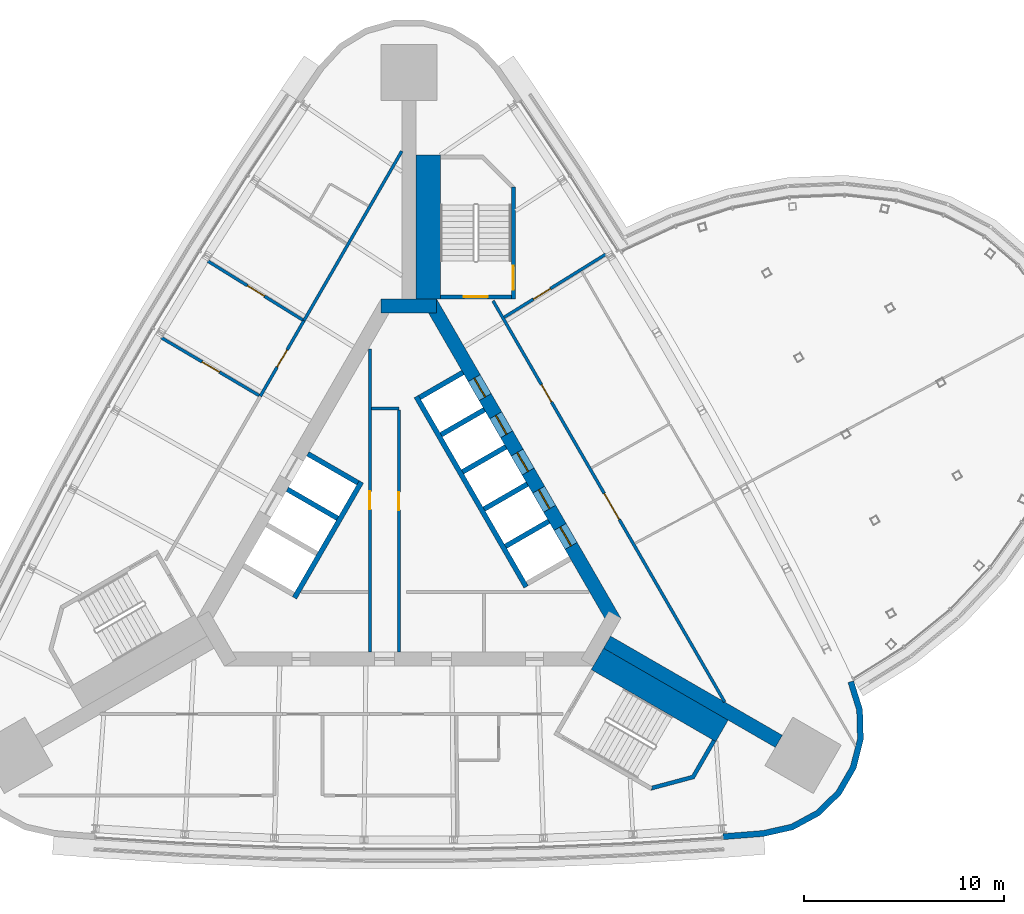
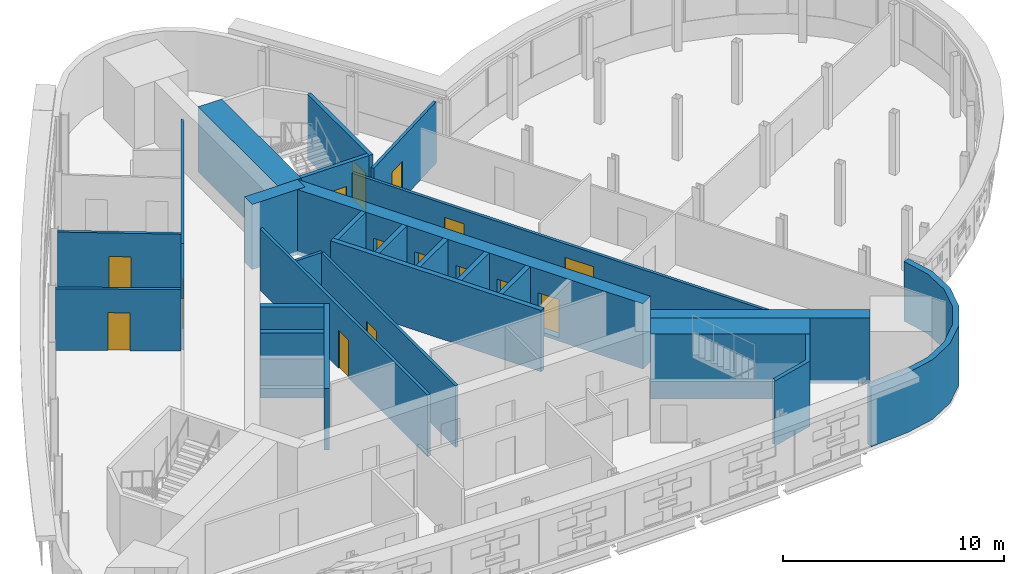
# One storey, part 11 of 15: 27 walls, 15 doors, 15 openings.
"""IFC4 building model written with IfcOpenShell, lengths in metres."""

from ifc_helpers import new_model, si_unit, direction, frame, frame_2d, origin, place, context, subcontext, project, spatial, polyline, rectangle, outline, extrude, material, layer, layer_set, type_object, element, fill, save


model = new_model("IFC4")

# Units and contexts
model_context = context("Model", 3, precision=1e-05, world=origin(), true_north=direction((0.0, 1.0)))
body_context = subcontext(model_context, "Body", "Model", "MODEL_VIEW")
ifc_project = project(units=[si_unit("LENGTHUNIT", "METRE"), si_unit("AREAUNIT", "SQUARE_METRE"), si_unit("VOLUMEUNIT", "CUBIC_METRE"), si_unit("PLANEANGLEUNIT", "RADIAN"), si_unit("MASSUNIT", "GRAM", prefix="KILO")], contexts=[model_context])

# Site, building, storey
site_placement = place(None, origin())
site = spatial("IfcSite", under=ifc_project, at=site_placement, CompositionType="ELEMENT")
building_placement = place(site_placement, origin())
building = spatial("IfcBuilding", under=site, at=building_placement, Name="Noor Cloister Tower", CompositionType="ELEMENT")
storey_placement = place(building_placement, frame((0.0, 0.0, 174.300048828125)))
storey = spatial("IfcBuildingStorey", under=building, at=storey_placement, Name="L44", CompositionType="ELEMENT", Elevation=174.300048828125)

# Wall
ifc_material_1 = material(Name="Concrete C70/85", Category="concrete")
ifc_layer_1 = layer(ifc_material_1, 0.699951171875)
ifc_layer_set_1 = layer_set([ifc_layer_1], Name="Buttress wall 700 C70/85")
wall_type_1 = type_object("IfcWallType", Name="Buttress wall 700 C70/85", PredefinedType="SHEAR", material=ifc_layer_set_1)
wall_1_placement = place(storey_placement, frame((9.921630859375, -5.728271484375, -0.199951171875), z_axis=(0.0, 0.0, 1.0), x_axis=(0.866029553954, -0.499992811627, 0.0)))
element("IfcWall", 1, at=wall_1_placement, inside=storey, type_object=wall_type_1, Name="Buttress wall SE L44", PredefinedType="SHEAR", context=body_context, shape_type="SweptSolid", body=[
    extrude(rectangle(XDim=9.927490234375, YDim=0.699951171875, at=frame_2d((4.9638671875, 0.0))), origin(), (0.0, 0.0, 1.0), 3.599853515625),
])

# Wall, opening, door
ifc_material_2 = material(Name="Concrete C30/37", Category="concrete")
ifc_layer_2 = layer(ifc_material_2, 0.14990234375)
ifc_layer_set_2 = layer_set([ifc_layer_2], Name="Core partition 150 C30/37")
wall_type_2 = type_object("IfcWallType", Name="Core partition 150 C30/37", PredefinedType="PARTITIONING", material=ifc_layer_set_2)
wall_2_placement = place(storey_placement, frame((-1.95361328125, 8.9423828125, 0.0), z_axis=(0.0, 0.0, 1.0), x_axis=(0.0, -1.0, 0.0)))
wall_2 = element("IfcWall", 2, at=wall_2_placement, inside=storey, type_object=wall_type_2, Name="Core room partition L44 2", PredefinedType="PARTITIONING", context=body_context, shape_type="SweptSolid", body=[
    extrude(rectangle(XDim=15.170654296875, YDim=0.14990234375, at=frame_2d((7.58544921875, 0.0))), origin(), (0.0, 0.0, 1.0), 3.39990234375),
])
opening_1_placement = place(wall_2_placement, frame((7.12060546875, 0.0, 0.0)))
opening_1 = element("IfcOpeningElement", 3, at=opening_1_placement, cuts=wall_2, Name="Opening L44-905", PredefinedType="OPENING", context=body_context, shape_type="SweptSolid", body=[
    extrude(rectangle(XDim=0.89990234375, YDim=2.10009765625, at=frame_2d((0.449951171875, 1.050048828125))), frame((0.0, 0.0849609375, 0.0), z_axis=(0.0, -1.0, 0.0), x_axis=(1.0, 0.0, 0.0)), (0.0, 0.0, 1.0), 0.169921875),
])
ifc_material_3 = material(Name="Steel", Category="steel")
door_type_1 = type_object("IfcDoorType", Name="Core door 900 x 2100 FD60", OperationType="SINGLE_SWING_LEFT", PredefinedType="DOOR", material=ifc_material_3)
door_1_placement = place(opening_1_placement, origin())
door_1 = element("IfcDoor", 4, at=door_1_placement, inside=storey, type_object=door_type_1, Name="Core door 5 L44", OperationType="SINGLE_SWING_LEFT", OverallHeight=2.10009765625, OverallWidth=0.89990234375, PredefinedType="DOOR", context=body_context, shape_type="SweptSolid", body=[
    extrude(rectangle(XDim=0.89990234375, YDim=2.10009765625, at=frame_2d((0.449951171875, 1.050048828125))), frame((0.0, 0.02490234375, 0.0), z_axis=(0.0, -1.0, 0.0), x_axis=(1.0, 0.0, 0.0)), (0.0, 0.0, 1.0), 0.050048828125),
])
fill(opening_1, door_1)

# Wall
wall_3_placement = place(storey_placement, frame((-1.878662109375, 5.9716796875, 0.0), z_axis=(0.0, 0.0, 1.0), x_axis=(1.0, 0.0, 0.0)))
element("IfcWall", 5, at=wall_3_placement, inside=storey, type_object=wall_type_2, Name="Core room partition L44 3", PredefinedType="PARTITIONING", context=body_context, shape_type="SweptSolid", body=[
    extrude(rectangle(XDim=1.375, YDim=0.14990234375, at=frame_2d((0.6875, 0.0))), origin(), (0.0, 0.0, 1.0), 3.39990234375),
])

# Wall, opening, door
wall_4_placement = place(storey_placement, frame((-0.503662109375, 5.896728515625, 0.0), z_axis=(0.0, 0.0, 1.0), x_axis=(0.0, -1.0, 0.0)))
wall_4 = element("IfcWall", 6, at=wall_4_placement, inside=storey, type_object=wall_type_2, Name="Core room partition L44 4", PredefinedType="PARTITIONING", context=body_context, shape_type="SweptSolid", body=[
    extrude(rectangle(XDim=12.125, YDim=0.14990234375, at=frame_2d((6.0625, 0.0))), origin(), (0.0, 0.0, 1.0), 3.39990234375),
])
opening_2_placement = place(wall_4_placement, frame((4.113525390625, 0.0, 0.0)))
opening_2 = element("IfcOpeningElement", 7, at=opening_2_placement, cuts=wall_4, Name="Opening L44-906", PredefinedType="OPENING", context=body_context, shape_type="SweptSolid", body=[
    extrude(rectangle(XDim=0.89990234375, YDim=2.10009765625, at=frame_2d((0.449951171875, 1.050048828125))), frame((0.0, 0.0849609375, 0.0), z_axis=(0.0, -1.0, 0.0), x_axis=(1.0, 0.0, 0.0)), (0.0, 0.0, 1.0), 0.169921875),
])
door_2_placement = place(opening_2_placement, origin())
door_2 = element("IfcDoor", 8, at=door_2_placement, inside=storey, type_object=door_type_1, Name="Core door 6 L44", OperationType="SINGLE_SWING_RIGHT", OverallHeight=2.10009765625, OverallWidth=0.89990234375, PredefinedType="DOOR", context=body_context, shape_type="SweptSolid", body=[
    extrude(rectangle(XDim=0.89990234375, YDim=2.10009765625, at=frame_2d((0.449951171875, 1.050048828125))), frame((0.0, 0.02490234375, 0.0), z_axis=(0.0, -1.0, 0.0), x_axis=(1.0, 0.0, 0.0)), (0.0, 0.0, 1.0), 0.050048828125),
])
fill(opening_2, door_2)

# Wall, openings, doors
ifc_material_4 = material(Name="Concrete C70/85", Category="concrete")
ifc_layer_3 = layer(ifc_material_4, 0.699951171875)
ifc_layer_set_3 = layer_set([ifc_layer_3], Name="Core wall 700 C70/85")
wall_type_3 = type_object("IfcWallType", Name="Core wall 700 C70/85", PredefinedType="SHEAR", material=ifc_layer_set_3)
wall_5_placement = place(storey_placement, frame((10.311279296875, -4.703125, -0.199951171875), z_axis=(0.0, 0.0, 1.0), x_axis=(-0.500001446645, 0.866024568562, 0.0)))
wall_5 = element("IfcWall", 9, at=wall_5_placement, inside=storey, type_object=wall_type_3, Name="Core wall L44 3", PredefinedType="SHEAR", context=body_context, shape_type="SweptSolid", body=[
    extrude(rectangle(XDim=18.45751953125, YDim=0.699951171875, at=frame_2d((9.228759765625, 0.0))), origin(), (0.0, 0.0, 1.0), 3.599853515625),
])
opening_3_placement = place(wall_5_placement, frame((4.378662109375, 0.0, 0.199951171875)))
opening_3 = element("IfcOpeningElement", 10, at=opening_3_placement, cuts=wall_5, Name="Opening L44-HR1", PredefinedType="OPENING", context=body_context, shape_type="SweptSolid", body=[
    extrude(rectangle(XDim=1.10009765625, YDim=2.10009765625, at=frame_2d((0.550048828125, 1.050048828125))), frame((0.0, 0.35986328125, 0.0), z_axis=(0.0, -1.0, 0.0), x_axis=(1.0, 0.0, 0.0)), (0.0, 0.0, 1.0), 0.719970703125),
])
opening_4_placement = place(wall_5_placement, frame((6.52880859375, 0.0, 0.199951171875)))
opening_4 = element("IfcOpeningElement", 11, at=opening_4_placement, cuts=wall_5, Name="Opening L44-HR2", PredefinedType="OPENING", context=body_context, shape_type="SweptSolid", body=[
    extrude(rectangle(XDim=1.10009765625, YDim=2.10009765625, at=frame_2d((0.550048828125, 1.050048828125))), frame((0.0, 0.35986328125, 0.0), z_axis=(0.0, -1.0, 0.0), x_axis=(1.0, 0.0, 0.0)), (0.0, 0.0, 1.0), 0.719970703125),
])
opening_5_placement = place(wall_5_placement, frame((8.6787109375, 0.0, 0.199951171875)))
opening_5 = element("IfcOpeningElement", 12, at=opening_5_placement, cuts=wall_5, Name="Opening L44-HR3", PredefinedType="OPENING", context=body_context, shape_type="SweptSolid", body=[
    extrude(rectangle(XDim=1.10009765625, YDim=2.10009765625, at=frame_2d((0.550048828125, 1.050048828125))), frame((0.0, 0.35986328125, 0.0), z_axis=(0.0, -1.0, 0.0), x_axis=(1.0, 0.0, 0.0)), (0.0, 0.0, 1.0), 0.719970703125),
])
opening_6_placement = place(wall_5_placement, frame((10.82861328125, 0.0, 0.199951171875)))
opening_6 = element("IfcOpeningElement", 13, at=opening_6_placement, cuts=wall_5, Name="Opening L44-HR4", PredefinedType="OPENING", context=body_context, shape_type="SweptSolid", body=[
    extrude(rectangle(XDim=1.10009765625, YDim=2.10009765625, at=frame_2d((0.550048828125, 1.050048828125))), frame((0.0, 0.35986328125, 0.0), z_axis=(0.0, -1.0, 0.0), x_axis=(1.0, 0.0, 0.0)), (0.0, 0.0, 1.0), 0.719970703125),
])
opening_7_placement = place(wall_5_placement, frame((12.978759765625, 0.0, 0.199951171875)))
opening_7 = element("IfcOpeningElement", 14, at=opening_7_placement, cuts=wall_5, Name="Opening L44-HR5", PredefinedType="OPENING", context=body_context, shape_type="SweptSolid", body=[
    extrude(rectangle(XDim=1.10009765625, YDim=2.10009765625, at=frame_2d((0.550048828125, 1.050048828125))), frame((0.0, 0.35986328125, 0.0), z_axis=(0.0, -1.0, 0.0), x_axis=(1.0, 0.0, 0.0)), (0.0, 0.0, 1.0), 0.719970703125),
])
ifc_material_5 = material(Name="Stainless steel", Category="steel")
door_type_2 = type_object("IfcDoorType", Name="Lift landing door 1100 x 2100", OperationType="DOUBLE_DOOR_SLIDING", PredefinedType="DOOR", material=ifc_material_5)
door_3_placement = place(opening_3_placement, origin())
door_3 = element("IfcDoor", 15, at=door_3_placement, inside=storey, type_object=door_type_2, Name="Landing door HR1 L44", OperationType="DOUBLE_DOOR_SLIDING", OverallHeight=2.10009765625, OverallWidth=1.10009765625, PredefinedType="DOOR", context=body_context, shape_type="SweptSolid", body=[
    extrude(rectangle(XDim=1.10009765625, YDim=2.10009765625, at=frame_2d((0.550048828125, 1.050048828125))), frame((0.0, 0.02490234375, 0.0), z_axis=(0.0, -1.0, 0.0), x_axis=(1.0, 0.0, 0.0)), (0.0, 0.0, 1.0), 0.050048828125),
])
fill(opening_3, door_3)
door_4_placement = place(opening_4_placement, origin())
door_4 = element("IfcDoor", 16, at=door_4_placement, inside=storey, type_object=door_type_2, Name="Landing door HR2 L44", OperationType="DOUBLE_DOOR_SLIDING", OverallHeight=2.10009765625, OverallWidth=1.10009765625, PredefinedType="DOOR", context=body_context, shape_type="SweptSolid", body=[
    extrude(rectangle(XDim=1.10009765625, YDim=2.10009765625, at=frame_2d((0.550048828125, 1.050048828125))), frame((0.0, 0.02490234375, 0.0), z_axis=(0.0, -1.0, 0.0), x_axis=(1.0, 0.0, 0.0)), (0.0, 0.0, 1.0), 0.050048828125),
])
fill(opening_4, door_4)
door_5_placement = place(opening_5_placement, origin())
door_5 = element("IfcDoor", 17, at=door_5_placement, inside=storey, type_object=door_type_2, Name="Landing door HR3 L44", OperationType="DOUBLE_DOOR_SLIDING", OverallHeight=2.10009765625, OverallWidth=1.10009765625, PredefinedType="DOOR", context=body_context, shape_type="SweptSolid", body=[
    extrude(rectangle(XDim=1.10009765625, YDim=2.10009765625, at=frame_2d((0.550048828125, 1.050048828125))), frame((0.0, 0.02490234375, 0.0), z_axis=(0.0, -1.0, 0.0), x_axis=(1.0, 0.0, 0.0)), (0.0, 0.0, 1.0), 0.050048828125),
])
fill(opening_5, door_5)
door_6_placement = place(opening_6_placement, origin())
door_6 = element("IfcDoor", 18, at=door_6_placement, inside=storey, type_object=door_type_2, Name="Landing door HR4 L44", OperationType="DOUBLE_DOOR_SLIDING", OverallHeight=2.10009765625, OverallWidth=1.10009765625, PredefinedType="DOOR", context=body_context, shape_type="SweptSolid", body=[
    extrude(rectangle(XDim=1.10009765625, YDim=2.10009765625, at=frame_2d((0.550048828125, 1.050048828125))), frame((0.0, 0.02490234375, 0.0), z_axis=(0.0, -1.0, 0.0), x_axis=(1.0, 0.0, 0.0)), (0.0, 0.0, 1.0), 0.050048828125),
])
fill(opening_6, door_6)
door_7_placement = place(opening_7_placement, origin())
door_7 = element("IfcDoor", 19, at=door_7_placement, inside=storey, type_object=door_type_2, Name="Landing door HR5 L44", OperationType="DOUBLE_DOOR_SLIDING", OverallHeight=2.10009765625, OverallWidth=1.10009765625, PredefinedType="DOOR", context=body_context, shape_type="SweptSolid", body=[
    extrude(rectangle(XDim=1.10009765625, YDim=2.10009765625, at=frame_2d((0.550048828125, 1.050048828125))), frame((0.0, 0.02490234375, 0.0), z_axis=(0.0, -1.0, 0.0), x_axis=(1.0, 0.0, 0.0)), (0.0, 0.0, 1.0), 0.050048828125),
])
fill(opening_7, door_7)

# Walls
wall_6_placement = place(storey_placement, frame((1.3857421875, 11.1064453125, -0.199951171875), z_axis=(0.0, 0.0, 1.0), x_axis=(-1.0, 0.0, 0.0)))
element("IfcWall", 20, at=wall_6_placement, inside=storey, type_object=wall_type_3, Name="Core wall L44 4", PredefinedType="SHEAR", context=body_context, shape_type="SweptSolid", body=[
    extrude(rectangle(XDim=2.771484375, YDim=0.699951171875, at=frame_2d((1.3857421875, 0.0))), origin(), (0.0, 0.0, 1.0), 3.599853515625),
])
ifc_material_6 = material(Name="Fire-rated gypsum board partition on steel studs, 150 mm", Category="steel")
ifc_layer_4 = layer(ifc_material_6, 0.14990234375)
ifc_layer_set_4 = layer_set([ifc_layer_4], Name="Fire lobby wall 150")
wall_type_4 = type_object("IfcWallType", Name="Fire lobby wall 150", PredefinedType="PARTITIONING", material=ifc_layer_set_4)
wall_7_placement = place(storey_placement, frame((-0.35009765625, 18.85009765625, 0.0), z_axis=(0.0, 0.0, 1.0), x_axis=(-0.499985463203, -0.866033796445, 0.0)))
element("IfcWall", 21, at=wall_7_placement, inside=storey, type_object=wall_type_4, Name="Wall L44-W18", PredefinedType="PARTITIONING", context=body_context, shape_type="SweptSolid", body=[
    extrude(rectangle(XDim=9.802978515625, YDim=0.14990234375, at=frame_2d((4.9013671875, 0.0))), origin(), (0.0, 0.0, 1.0), 2.846923828125),
])

# Wall, opening, door
wall_8_placement = place(storey_placement, frame((-5.25146484375, 10.3603515625, 0.0), z_axis=(0.0, 0.0, 1.0), x_axis=(-0.500012937857, -0.86601793398, 0.0)))
wall_8 = element("IfcWall", 22, at=wall_8_placement, inside=storey, type_object=wall_type_4, Name="Wall L44-W22", PredefinedType="PARTITIONING", context=body_context, shape_type="SweptSolid", body=[
    extrude(rectangle(XDim=4.365234375, YDim=0.14990234375, at=frame_2d((2.1826171875, 0.0))), origin(), (0.0, 0.0, 1.0), 2.846923828125),
])
opening_8_placement = place(wall_8_placement, frame((1.6826171875, 0.0, 0.0)))
opening_8 = element("IfcOpeningElement", 23, at=opening_8_placement, cuts=wall_8, Name="Opening L44-015", PredefinedType="OPENING", context=body_context, shape_type="SweptSolid", body=[
    extrude(rectangle(XDim=1.0, YDim=2.10009765625, at=frame_2d((0.5, 1.050048828125))), frame((0.0, 0.0849609375, 0.0), z_axis=(0.0, -1.0, 0.0), x_axis=(1.0, 0.0, 0.0)), (0.0, 0.0, 1.0), 0.169921875),
])
ifc_material_7 = material(Name="Timber door leaf with steel frame", Category="steel")
door_type_3 = type_object("IfcDoorType", Name="Fire lobby door 1000", OperationType="NOTDEFINED", PredefinedType="DOOR", material=ifc_material_7)
door_8_placement = place(opening_8_placement, origin())
door_8 = element("IfcDoor", 24, at=door_8_placement, inside=storey, type_object=door_type_3, Name="Door L44-015", OperationType="SINGLE_SWING_LEFT", OverallHeight=2.10009765625, OverallWidth=1.0, PredefinedType="DOOR", context=body_context, shape_type="SweptSolid", body=[
    extrude(rectangle(XDim=1.0, YDim=2.10009765625, at=frame_2d((0.5, 1.050048828125))), frame((0.0, 0.02490234375, 0.0), z_axis=(0.0, -1.0, 0.0), x_axis=(1.0, 0.0, 0.0)), (0.0, 0.0, 1.0), 0.050048828125),
])
fill(opening_8, door_8)

# Wall, openings, doors
ifc_material_8 = material(Name="Gypsum board partition on steel studs, 150 mm", Category="steel")
ifc_layer_5 = layer(ifc_material_8, 0.14990234375)
ifc_layer_set_5 = layer_set([ifc_layer_5], Name="Flat wall 150")
wall_type_5 = type_object("IfcWallType", Name="Flat wall 150", PredefinedType="PARTITIONING", material=ifc_layer_set_5)
wall_9_placement = place(storey_placement, frame((15.806884765625, -8.721923828125, 0.0), z_axis=(0.0, 0.0, 1.0), x_axis=(-0.500001078133, 0.866024781323, 0.0)))
wall_9 = element("IfcWall", 25, at=wall_9_placement, inside=storey, type_object=wall_type_5, Name="Wall L44-W01", PredefinedType="PARTITIONING", context=body_context, shape_type="SweptSolid", body=[
    extrude(rectangle(XDim=23.1845703125, YDim=0.14990234375, at=frame_2d((11.59228515625, 0.0))), origin(), (0.0, 0.0, 1.0), 2.846923828125),
])
opening_9_placement = place(wall_9_placement, frame((10.55126953125, 0.0, 0.0)))
opening_9 = element("IfcOpeningElement", 26, at=opening_9_placement, cuts=wall_9, Name="Opening L44-001", PredefinedType="OPENING", context=body_context, shape_type="SweptSolid", body=[
    extrude(rectangle(XDim=1.5, YDim=2.10009765625, at=frame_2d((0.75, 1.050048828125))), frame((0.0, 0.0849609375, 0.0), z_axis=(0.0, -1.0, 0.0), x_axis=(1.0, 0.0, 0.0)), (0.0, 0.0, 1.0), 0.169921875),
])
opening_10_placement = place(wall_9_placement, frame((17.335205078125, 0.0, 0.0)))
opening_10 = element("IfcOpeningElement", 27, at=opening_10_placement, cuts=wall_9, Name="Opening L44-006", PredefinedType="OPENING", context=body_context, shape_type="SweptSolid", body=[
    extrude(rectangle(XDim=1.0, YDim=2.10009765625, at=frame_2d((0.5, 1.050048828125))), frame((0.0, 0.0849609375, 0.0), z_axis=(0.0, -1.0, 0.0), x_axis=(1.0, 0.0, 0.0)), (0.0, 0.0, 1.0), 0.169921875),
])
ifc_material_9 = material(Name="Timber door leaf with steel frame", Category="steel")
door_type_4 = type_object("IfcDoorType", Name="Double door 1500 FD60", OperationType="NOTDEFINED", PredefinedType="DOOR", material=ifc_material_9)
door_9_placement = place(opening_9_placement, origin())
door_9 = element("IfcDoor", 28, at=door_9_placement, inside=storey, type_object=door_type_4, Name="Door L44-001", OperationType="DOUBLE_DOOR_SINGLE_SWING", OverallHeight=2.10009765625, OverallWidth=1.5, PredefinedType="DOOR", context=body_context, shape_type="SweptSolid", body=[
    extrude(rectangle(XDim=1.5, YDim=2.10009765625, at=frame_2d((0.75, 1.050048828125))), frame((0.0, 0.02490234375, 0.0), z_axis=(0.0, -1.0, 0.0), x_axis=(1.0, 0.0, 0.0)), (0.0, 0.0, 1.0), 0.050048828125),
])
fill(opening_9, door_9)
ifc_material_10 = material(Name="Timber door leaf with steel frame", Category="steel")
door_type_5 = type_object("IfcDoorType", Name="Interior door 1000 FD60", OperationType="NOTDEFINED", PredefinedType="DOOR", material=ifc_material_10)
door_10_placement = place(opening_10_placement, origin())
door_10 = element("IfcDoor", 29, at=door_10_placement, inside=storey, type_object=door_type_5, Name="Door L44-006", OperationType="SINGLE_SWING_RIGHT", OverallHeight=2.10009765625, OverallWidth=1.0, PredefinedType="DOOR", context=body_context, shape_type="SweptSolid", body=[
    extrude(rectangle(XDim=1.0, YDim=2.10009765625, at=frame_2d((0.5, 1.050048828125))), frame((0.0, 0.02490234375, 0.0), z_axis=(0.0, -1.0, 0.0), x_axis=(1.0, 0.0, 0.0)), (0.0, 0.0, 1.0), 0.050048828125),
])
fill(opening_10, door_10)

# Wall, opening, door
wall_10_placement = place(storey_placement, frame((9.85595703125, 13.6884765625, 0.0), z_axis=(0.0, 0.0, 1.0), x_axis=(-0.849698198213, -0.527269354271, 0.0)))
wall_10 = element("IfcWall", 30, at=wall_10_placement, inside=storey, type_object=wall_type_5, Name="Wall L44-W02", PredefinedType="PARTITIONING", context=body_context, shape_type="SweptSolid", body=[
    extrude(rectangle(XDim=5.9794921875, YDim=0.14990234375, at=frame_2d((2.98974609375, 0.0))), origin(), (0.0, 0.0, 1.0), 3.39990234375),
])
opening_11_placement = place(wall_10_placement, frame((3.263671875, 0.0, 0.0)))
opening_11 = element("IfcOpeningElement", 31, at=opening_11_placement, cuts=wall_10, Name="Opening L44-007", PredefinedType="OPENING", context=body_context, shape_type="SweptSolid", body=[
    extrude(rectangle(XDim=1.0, YDim=2.10009765625, at=frame_2d((0.5, 1.050048828125))), frame((0.0, 0.0849609375, 0.0), z_axis=(0.0, -1.0, 0.0), x_axis=(1.0, 0.0, 0.0)), (0.0, 0.0, 1.0), 0.169921875),
])
door_11_placement = place(opening_11_placement, origin())
door_11 = element("IfcDoor", 32, at=door_11_placement, inside=storey, type_object=door_type_5, Name="Door L44-007", OperationType="SINGLE_SWING_LEFT", OverallHeight=2.10009765625, OverallWidth=1.0, PredefinedType="DOOR", context=body_context, shape_type="SweptSolid", body=[
    extrude(rectangle(XDim=1.0, YDim=2.10009765625, at=frame_2d((0.5, 1.050048828125))), frame((0.0, 0.02490234375, 0.0), z_axis=(0.0, -1.0, 0.0), x_axis=(1.0, 0.0, 0.0)), (0.0, 0.0, 1.0), 0.050048828125),
])
fill(opening_11, door_11)

wall_11_placement = place(storey_placement, frame((-10.06689453125, 13.348388671875, 0.0), z_axis=(0.0, 0.0, 1.0), x_axis=(0.84969615017, -0.527272654692, 0.0)))
wall_11 = element("IfcWall", 33, at=wall_11_placement, inside=storey, type_object=wall_type_5, Name="Wall L44-W20", PredefinedType="PARTITIONING", context=body_context, shape_type="SweptSolid", body=[
    extrude(rectangle(XDim=5.592041015625, YDim=0.14990234375, at=frame_2d((2.7958984375, 0.0))), origin(), (0.0, 0.0, 1.0), 3.39990234375),
])
opening_12_placement = place(wall_11_placement, frame((2.33349609375, 0.0, 0.0)))
opening_12 = element("IfcOpeningElement", 34, at=opening_12_placement, cuts=wall_11, Name="Opening L44-018", PredefinedType="OPENING", context=body_context, shape_type="SweptSolid", body=[
    extrude(rectangle(XDim=1.0, YDim=2.10009765625, at=frame_2d((0.5, 1.050048828125))), frame((0.0, 0.0849609375, 0.0), z_axis=(0.0, -1.0, 0.0), x_axis=(1.0, 0.0, 0.0)), (0.0, 0.0, 1.0), 0.169921875),
])
ifc_material_11 = material(Name="Timber door leaf with steel frame", Category="steel")
door_type_6 = type_object("IfcDoorType", Name="Flat entrance door 1000", OperationType="NOTDEFINED", PredefinedType="DOOR", material=ifc_material_11)
door_12_placement = place(opening_12_placement, origin())
door_12 = element("IfcDoor", 35, at=door_12_placement, inside=storey, type_object=door_type_6, Name="Door L44-018", OperationType="SINGLE_SWING_RIGHT", OverallHeight=2.10009765625, OverallWidth=1.0, PredefinedType="DOOR", context=body_context, shape_type="SweptSolid", body=[
    extrude(rectangle(XDim=1.0, YDim=2.10009765625, at=frame_2d((0.5, 1.050048828125))), frame((0.0, 0.02490234375, 0.0), z_axis=(0.0, -1.0, 0.0), x_axis=(1.0, 0.0, 0.0)), (0.0, 0.0, 1.0), 0.050048828125),
])
fill(opening_12, door_12)

wall_12_placement = place(storey_placement, frame((-12.3876953125, 9.510498046875, 0.0), z_axis=(0.0, 0.0, 1.0), x_axis=(0.860691995407, -0.509126005073, 0.0)))
wall_12 = element("IfcWall", 36, at=wall_12_placement, inside=storey, type_object=wall_type_5, Name="Wall L44-W21", PredefinedType="PARTITIONING", context=body_context, shape_type="SweptSolid", body=[
    extrude(rectangle(XDim=5.680419921875, YDim=0.14990234375, at=frame_2d((2.84033203125, 0.0))), origin(), (0.0, 0.0, 1.0), 3.39990234375),
])
opening_13_placement = place(wall_12_placement, frame((2.377685546875, 0.0, 0.0)))
opening_13 = element("IfcOpeningElement", 37, at=opening_13_placement, cuts=wall_12, Name="Opening L44-019", PredefinedType="OPENING", context=body_context, shape_type="SweptSolid", body=[
    extrude(rectangle(XDim=1.0, YDim=2.10009765625, at=frame_2d((0.5, 1.050048828125))), frame((0.0, 0.0849609375, 0.0), z_axis=(0.0, -1.0, 0.0), x_axis=(1.0, 0.0, 0.0)), (0.0, 0.0, 1.0), 0.169921875),
])
door_13_placement = place(opening_13_placement, origin())
door_13 = element("IfcDoor", 38, at=door_13_placement, inside=storey, type_object=door_type_5, Name="Door L44-019", OperationType="SINGLE_SWING_LEFT", OverallHeight=2.10009765625, OverallWidth=1.0, PredefinedType="DOOR", context=body_context, shape_type="SweptSolid", body=[
    extrude(rectangle(XDim=1.0, YDim=2.10009765625, at=frame_2d((0.5, 1.050048828125))), frame((0.0, 0.02490234375, 0.0), z_axis=(0.0, -1.0, 0.0), x_axis=(1.0, 0.0, 0.0)), (0.0, 0.0, 1.0), 0.050048828125),
])
fill(opening_13, door_13)

# Walls
ifc_material_12 = material(Name="Limestone", Category="masonry")
ifc_layer_6 = layer(ifc_material_12, 0.300048828125)
ifc_layer_set_6 = layer_set([ifc_layer_6], Name="Limestone cladding 300")
wall_type_6 = type_object("IfcWallType", Name="Limestone cladding 300", PredefinedType="NOTDEFINED", material=ifc_layer_set_6)
wall_13_placement = place(storey_placement, origin())
element("IfcWall", 39, at=wall_13_placement, inside=storey, type_object=wall_type_6, Name="Limestone pier cladding L44 2.1", PredefinedType="NOTDEFINED", context=body_context, shape_type="SweptSolid", body=[
    extrude(outline(polyline([(15.735595703125, -15.611572265625), (17.76806640625, -15.450927734375), (19.234130859375, -15.120849609375), (20.55517578125, -14.405029296875), (21.632080078125, -13.35693359375), (22.38330078125, -12.055419921875), (22.752685546875, -10.598876953125), (22.712158203125, -9.096923828125), (22.264892578125, -7.662353515625), (21.978515625, -7.75146484375), (22.413330078125, -9.146484375), (22.45166015625, -10.5654296875), (22.102783203125, -11.94140625), (21.39306640625, -13.1708984375), (20.375732421875, -14.160888671875), (19.127685546875, -14.83740234375), (17.72314453125, -15.153564453125), (15.7119140625, -15.3125), (15.735595703125, -15.611572265625)])), origin(), (0.0, 0.0, 1.0), 3.300048828125),
])
ifc_material_13 = material(Name="Concrete C70/85", Category="concrete")
ifc_layer_7 = layer(ifc_material_13, 0.25)
ifc_layer_set_7 = layer_set([ifc_layer_7], Name="Shaft wall 250 C70/85")
wall_type_7 = type_object("IfcWallType", Name="Shaft wall 250 C70/85", PredefinedType="PARTITIONING", material=ifc_layer_set_7)
wall_14_placement = place(storey_placement, frame((7.00634765625, 0.3212890625, -0.199951171875), z_axis=(0.0, 0.0, 1.0), x_axis=(-0.866022959057, -0.500004234368, 0.0)))
element("IfcWall", 40, at=wall_14_placement, inside=storey, type_object=wall_type_7, Name="Lift shaft wall L44 NE 2", PredefinedType="PARTITIONING", context=body_context, shape_type="SweptSolid", body=[
    extrude(rectangle(XDim=2.5, YDim=0.25, at=frame_2d((1.25, 0.0))), origin(), (0.0, 0.0, 1.0), 3.599853515625),
])
wall_15_placement = place(storey_placement, frame((5.931396484375, 2.18310546875, -0.199951171875), z_axis=(0.0, 0.0, 1.0), x_axis=(-0.866047370643, -0.499961950354, 0.0)))
element("IfcWall", 41, at=wall_15_placement, inside=storey, type_object=wall_type_7, Name="Lift shaft wall L44 NE 3", PredefinedType="PARTITIONING", context=body_context, shape_type="SweptSolid", body=[
    extrude(rectangle(XDim=2.500244140625, YDim=0.25, at=frame_2d((1.25, 0.0))), origin(), (0.0, 0.0, 1.0), 3.599853515625),
])
for number, where, z_axis, x_axis, name in (
    (42, (4.856201171875, 4.045166015625, -0.199951171875), (0.0, 0.0, 1.0), (-0.866022959057, -0.500004234368, 0.0), "Lift shaft wall L44 NE 4"),
    (43, (3.78125, 5.906982421875, -0.199951171875), (0.0, 0.0, 1.0), (-0.866022959057, -0.500004234368, 0.0), "Lift shaft wall L44 NE 5"),
    (44, (2.706298828125, 7.76904296875, -0.199951171875), (0.0, 0.0, 1.0), (-0.866022959057, -0.500004234368, 0.0), "Lift shaft wall L44 NE 6"),
):
    element("IfcWall", number, at=place(storey_placement, frame(where, z_axis=z_axis, x_axis=x_axis)), inside=storey, type_object=wall_type_7, Name=name, PredefinedType="PARTITIONING", context=body_context, shape_type="SweptSolid", body=[
        extrude(rectangle(XDim=2.5, YDim=0.25, at=frame_2d((1.25, 0.0))), origin(), (0.0, 0.0, 1.0), 3.599853515625),
    ])
wall_16_placement = place(storey_placement, frame((5.870361328125, -2.96142578125, 0.0), z_axis=(0.0, 0.0, 1.0), x_axis=(-0.50000615651, 0.866021849293, 0.0)))
element("IfcWall", 45, at=wall_16_placement, inside=storey, type_object=wall_type_7, Name="Lift shaft back wall L44 NE", PredefinedType="PARTITIONING", context=body_context, shape_type="SweptSolid", body=[
    extrude(rectangle(XDim=10.999755859375, YDim=0.25, at=frame_2d((5.5, 0.0))), origin(), (0.0, 0.0, 1.0), 3.39990234375),
])
for number, where, z_axis, x_axis, name in (
    (46, (-5.056396484375, 3.69873046875, -0.199951171875), (0.0, 0.0, 1.0), (0.866032775405, -0.499987231761, 0.0), "Lift shaft wall L44 NW 3"),
    (47, (-6.081298828125, 1.92333984375, -0.199951171875), (0.0, 0.0, 1.0), (0.866032775405, -0.499987231761, 0.0), "Lift shaft wall L44 NW 4"),
):
    element("IfcWall", number, at=place(storey_placement, frame(where, z_axis=z_axis, x_axis=x_axis)), inside=storey, type_object=wall_type_7, Name=name, PredefinedType="PARTITIONING", context=body_context, shape_type="SweptSolid", body=[
        extrude(rectangle(XDim=2.89990234375, YDim=0.25, at=frame_2d((1.449951171875, 0.0))), origin(), (0.0, 0.0, 1.0), 3.599853515625),
    ])
wall_17_placement = place(storey_placement, frame((-2.3740234375, 2.29443359375, 0.0), z_axis=(0.0, 0.0, 1.0), x_axis=(-0.500003174267, -0.866023571113, 0.0)))
element("IfcWall", 48, at=wall_17_placement, inside=storey, type_object=wall_type_7, Name="Lift shaft back wall L44 NW", PredefinedType="PARTITIONING", context=body_context, shape_type="SweptSolid", body=[
    extrude(rectangle(XDim=6.7001953125, YDim=0.25, at=frame_2d((3.35009765625, 0.0))), origin(), (0.0, 0.0, 1.0), 3.39990234375),
])
ifc_material_14 = material(Name="Concrete C70/85", Category="concrete")
ifc_layer_8 = layer(ifc_material_14, 1.236083984375)
ifc_layer_set_8 = layer_set([ifc_layer_8], Name="Stair enclosure wall 1236 C70/85")
wall_type_8 = type_object("IfcWallType", Name="Stair enclosure wall 1236 C70/85", PredefinedType="SHEAR", material=ifc_layer_set_8)
for number, where, z_axis, x_axis, name in (
    (49, (0.9677734375, 11.456298828125, -0.199951171875), (0.0, 0.0, 1.0), (0.0, 1.0, 0.0), "Stair enclosure wall ST1 L44 riser side"),
    (50, (9.4375, -6.56640625, -0.199951171875), (0.0, 0.0, 1.0), (0.866026919366, -0.499997374926, 0.0), "Stair enclosure wall ST3 L44 riser side"),
):
    element("IfcWall", number, at=place(storey_placement, frame(where, z_axis=z_axis, x_axis=x_axis)), inside=storey, type_object=wall_type_8, Name=name, PredefinedType="SHEAR", context=body_context, shape_type="SweptSolid", body=[
        extrude(rectangle(XDim=7.2001953125, YDim=1.235595703125, at=frame_2d((3.60009765625, 0.0))), origin(), (0.0, 0.0, 1.0), 3.599853515625),
    ])

# Wall, opening, door
ifc_material_15 = material(Name="Concrete C70/85", Category="concrete")
ifc_layer_9 = layer(ifc_material_15, 0.199951171875)
ifc_layer_set_9 = layer_set([ifc_layer_9], Name="Stair enclosure wall 200 C70/85")
wall_type_9 = type_object("IfcWallType", Name="Stair enclosure wall 200 C70/85", PredefinedType="SHEAR", material=ifc_layer_set_9)
wall_18_placement = place(storey_placement, frame((5.135498046875, 11.556396484375, -0.199951171875), z_axis=(0.0, 0.0, 1.0), x_axis=(-1.0, 0.0, 0.0)))
wall_18 = element("IfcWall", 51, at=wall_18_placement, inside=storey, type_object=wall_type_9, Name="Stair enclosure wall ST1 L44 near end", PredefinedType="SHEAR", context=body_context, shape_type="SweptSolid", body=[
    extrude(rectangle(XDim=3.5498046875, YDim=0.199951171875, at=frame_2d((1.77490234375, 0.0))), origin(), (0.0, 0.0, 1.0), 3.599853515625),
])
opening_14_placement = place(wall_18_placement, frame((1.175048828125, 0.0, 0.199951171875)))
opening_14 = element("IfcOpeningElement", 52, at=opening_14_placement, cuts=wall_18, Name="Opening L44-ST1L", PredefinedType="OPENING", context=body_context, shape_type="SweptSolid", body=[
    extrude(rectangle(XDim=1.199951171875, YDim=2.10009765625, at=frame_2d((0.60009765625, 1.050048828125))), frame((0.0, 0.10986328125, 0.0), z_axis=(0.0, -1.0, 0.0), x_axis=(1.0, 0.0, 0.0)), (0.0, 0.0, 1.0), 0.219970703125),
])
ifc_material_16 = material(Name="Steel", Category="steel")
door_type_7 = type_object("IfcDoorType", Name="Stair door 1200 x 2100 FD120", OperationType="SINGLE_SWING_LEFT", PredefinedType="DOOR", material=ifc_material_16)
door_14_placement = place(opening_14_placement, origin())
door_14 = element("IfcDoor", 53, at=door_14_placement, inside=storey, type_object=door_type_7, Name="Stair door ST1 L44", OperationType="SINGLE_SWING_RIGHT", OverallHeight=2.10009765625, OverallWidth=1.199951171875, PredefinedType="DOOR", context=body_context, shape_type="SweptSolid", body=[
    extrude(rectangle(XDim=1.199951171875, YDim=2.10009765625, at=frame_2d((0.60009765625, 1.050048828125))), frame((0.0, 0.02490234375, 0.0), z_axis=(0.0, -1.0, 0.0), x_axis=(1.0, 0.0, 0.0)), (0.0, 0.0, 1.0), 0.050048828125),
])
fill(opening_14, door_14)

wall_19_placement = place(storey_placement, frame((5.235595703125, 11.456298828125, -0.199951171875), z_axis=(0.0, 0.0, 1.0), x_axis=(0.0, 1.0, 0.0)))
wall_19 = element("IfcWall", 54, at=wall_19_placement, inside=storey, type_object=wall_type_9, Name="Stair enclosure wall ST1 L44 outer side", PredefinedType="SHEAR", context=body_context, shape_type="SweptSolid", body=[
    extrude(rectangle(XDim=5.60009765625, YDim=0.199951171875, at=frame_2d((2.800048828125, 0.0))), origin(), (0.0, 0.0, 1.0), 3.599853515625),
])
opening_15_placement = place(wall_19_placement, frame((0.449951171875, 0.0, 0.199951171875)))
opening_15 = element("IfcOpeningElement", 55, at=opening_15_placement, cuts=wall_19, Name="Opening L44-ST1C", PredefinedType="OPENING", context=body_context, shape_type="SweptSolid", body=[
    extrude(rectangle(XDim=1.199951171875, YDim=2.10009765625, at=frame_2d((0.60009765625, 1.050048828125))), frame((0.0, 0.10986328125, 0.0), z_axis=(0.0, -1.0, 0.0), x_axis=(1.0, 0.0, 0.0)), (0.0, 0.0, 1.0), 0.219970703125),
])
door_15_placement = place(opening_15_placement, origin())
door_15 = element("IfcDoor", 56, at=door_15_placement, inside=storey, type_object=door_type_7, Name="Stair door ST1 L44", OperationType="SINGLE_SWING_LEFT", OverallHeight=2.10009765625, OverallWidth=1.199951171875, PredefinedType="DOOR", context=body_context, shape_type="SweptSolid", body=[
    extrude(rectangle(XDim=1.199951171875, YDim=2.10009765625, at=frame_2d((0.60009765625, 1.050048828125))), frame((0.0, 0.02490234375, 0.0), z_axis=(0.0, -1.0, 0.0), x_axis=(1.0, 0.0, 0.0)), (0.0, 0.0, 1.0), 0.050048828125),
])
fill(opening_15, door_15)

# Wall
ifc_material_17 = material(Name="Concrete C70/85", Category="concrete")
wall_type_10 = type_object("IfcWallType", Name="Stair far end wall C70/85", PredefinedType="SHEAR", material=ifc_material_17)
wall_20_placement = place(storey_placement, frame((0.0, 0.0, -0.199951171875)))
element("IfcWall", 57, at=wall_20_placement, inside=storey, type_object=wall_type_10, Name="Stair enclosure wall ST3 L44 far end", PredefinedType="SHEAR", context=body_context, shape_type="SweptSolid", body=[
    extrude(outline(polyline([(12.103515625, -13.14892578125), (14.2890625, -12.5634765625), (15.364013671875, -10.701416015625), (15.19091796875, -10.601318359375), (14.1572265625, -12.3916015625), (12.131591796875, -12.934326171875), (12.20361328125, -12.975830078125), (12.20361328125, -12.975830078125), (12.20361328125, -12.975830078125), (12.20361328125, -12.975830078125), (12.20361328125, -12.975830078125), (12.20361328125, -12.975830078125), (12.20361328125, -12.975830078125), (12.20361328125, -12.975830078125), (12.20361328125, -12.975830078125), (12.20361328125, -12.975830078125), (12.20361328125, -12.975830078125), (12.20361328125, -12.975830078125), (12.20361328125, -12.975830078125), (12.20361328125, -12.975830078125), (12.20361328125, -12.975830078125), (12.20361328125, -12.975830078125), (12.20361328125, -12.975830078125), (12.103515625, -13.14892578125)])), origin(), (0.0, 0.0, 1.0), 3.599853515625),
])

save(model, "model.ifc")
